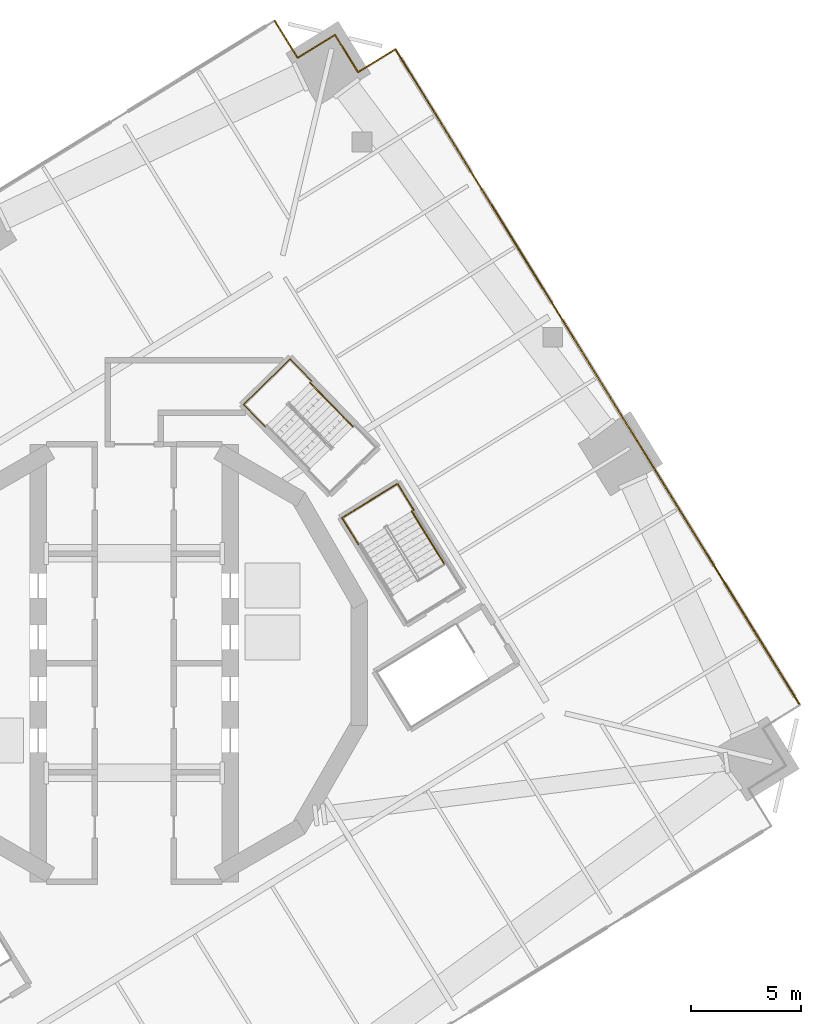
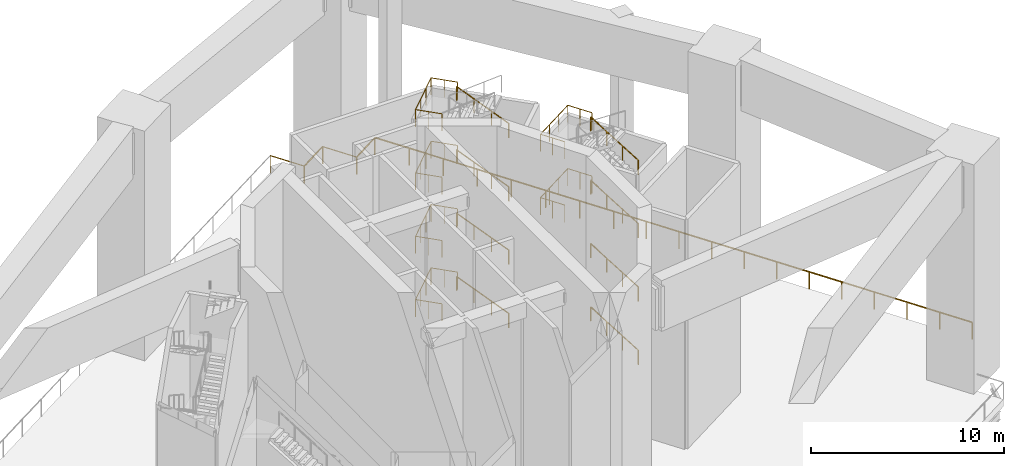
# One storey, part 14 of 15: 20 railings.
"""IFC4 building model written with IfcOpenShell, lengths in metres."""

from ifc_helpers import new_model, si_unit, direction, frame, origin, origin_2d, place, context, subcontext, project, spatial, circle, extrude, material, type_object, element, save


model = new_model("IFC4")

# Units and contexts
model_context = context("Model", 3, precision=1e-05, world=origin(), true_north=direction((0.0, 1.0)))
body_context = subcontext(model_context, "Body", "Model", "MODEL_VIEW")
ifc_project = project(units=[si_unit("LENGTHUNIT", "METRE"), si_unit("AREAUNIT", "SQUARE_METRE"), si_unit("VOLUMEUNIT", "CUBIC_METRE"), si_unit("PLANEANGLEUNIT", "RADIAN"), si_unit("MASSUNIT", "GRAM", prefix="KILO")], contexts=[model_context])

# Site, building, storey
site_placement = place(None, origin())
site = spatial("IfcSite", under=ifc_project, at=site_placement, CompositionType="ELEMENT")
building_placement = place(site_placement, origin())
building = spatial("IfcBuilding", under=site, at=building_placement, Name="Cantera Rosa Tower", CompositionType="ELEMENT")
storey_placement = place(building_placement, frame((0.0, 0.0, 189.39990234375)))
storey = spatial("IfcBuildingStorey", under=building, at=storey_placement, Name="L42", CompositionType="ELEMENT", Elevation=189.39990234375)

# Railings
ifc_material_1 = material(Name="Stainless steel and laminated glass", Category="steel")
railing_type_1 = type_object("IfcRailingType", Name="GUARD 1100", PredefinedType="BALUSTRADE", material=ifc_material_1)
railing_1_placement = place(storey_placement, frame((19.26513671875, 16.0068359375, 0.0)))
element("IfcRailing", 1, at=railing_1_placement, inside=storey, type_object=railing_type_1, Name="PORTAL GUARD L42-1", PredefinedType="BALUSTRADE", context=body_context, shape_type="SweptSolid", body=[
    extrude(circle(Radius=0.030029296875, at=origin_2d()), frame((0.0, 0.0, 1.070068359375), z_axis=(-0.524984864642, 0.851111562544, 0.0), x_axis=(-0.851111562544, -0.524984864642, 0.0)), (0.0, 0.0, 1.0), 14.0400390625),
    extrude(circle(Radius=0.02490234375, at=origin_2d()), origin(), (0.0, 0.0, 1.0), 1.0400390625),
    extrude(circle(Radius=0.02490234375, at=origin_2d()), frame((-1.052978515625, 1.70703125, 0.0)), (0.0, 0.0, 1.0), 1.0400390625),
    extrude(circle(Radius=0.02490234375, at=origin_2d()), frame((-2.10595703125, 3.414306640625, 0.0)), (0.0, 0.0, 1.0), 1.0400390625),
    extrude(circle(Radius=0.02490234375, at=origin_2d()), frame((-3.158935546875, 5.121337890625, 0.0)), (0.0, 0.0, 1.0), 1.0400390625),
    extrude(circle(Radius=0.02490234375, at=origin_2d()), frame((-4.2119140625, 6.828369140625, 0.0)), (0.0, 0.0, 1.0), 1.0400390625),
    extrude(circle(Radius=0.02490234375, at=origin_2d()), frame((-5.264892578125, 8.535400390625, 0.0)), (0.0, 0.0, 1.0), 1.0400390625),
    extrude(circle(Radius=0.02490234375, at=origin_2d()), frame((-6.31787109375, 10.24267578125, 0.0)), (0.0, 0.0, 1.0), 1.0400390625),
    extrude(circle(Radius=0.02490234375, at=origin_2d()), frame((-7.370849609375, 11.94970703125, 0.0)), (0.0, 0.0, 1.0), 1.0400390625),
])
railing_2_placement = place(storey_placement, frame((11.894287109375, 27.95654296875, 0.0)))
element("IfcRailing", 2, at=railing_2_placement, inside=storey, type_object=railing_type_1, Name="PORTAL GUARD L42-2", PredefinedType="BALUSTRADE", context=body_context, shape_type="SweptSolid", body=[
    extrude(circle(Radius=0.030029296875, at=origin_2d()), frame((0.0, 0.0, 1.070068359375), z_axis=(-0.85108359724, -0.525030199617, 0.0), x_axis=(0.525030199617, -0.85108359724, 0.0)), (0.0, 0.0, 1.0), 2.0),
    extrude(circle(Radius=0.02490234375, at=origin_2d()), origin(), (0.0, 0.0, 1.0), 1.0400390625),
    extrude(circle(Radius=0.02490234375, at=origin_2d()), frame((-1.7021484375, -1.050048828125, 0.0)), (0.0, 0.0, 1.0), 1.0400390625),
])
railing_3_placement = place(storey_placement, frame((10.192138671875, 26.906494140625, 0.0)))
element("IfcRailing", 3, at=railing_3_placement, inside=storey, type_object=railing_type_1, Name="PORTAL GUARD L42-3", PredefinedType="BALUSTRADE", context=body_context, shape_type="SweptSolid", body=[
    extrude(circle(Radius=0.030029296875, at=origin_2d()), frame((0.0, 0.0, 1.070068359375), z_axis=(-0.524975657145, 0.851117241868, 0.0), x_axis=(-0.851117241868, -0.524975657145, 0.0)), (0.0, 0.0, 1.0), 2.000244140625),
    extrude(circle(Radius=0.02490234375, at=origin_2d()), origin(), (0.0, 0.0, 1.0), 1.0400390625),
    extrude(circle(Radius=0.02490234375, at=origin_2d()), frame((-1.050048828125, 1.702392578125, 0.0)), (0.0, 0.0, 1.0), 1.0400390625),
])
railing_4_placement = place(storey_placement, frame((9.14208984375, 28.60888671875, 0.0)))
element("IfcRailing", 4, at=railing_4_placement, inside=storey, type_object=railing_type_1, Name="PORTAL GUARD L42-4", PredefinedType="BALUSTRADE", context=body_context, shape_type="SweptSolid", body=[
    extrude(circle(Radius=0.030029296875, at=origin_2d()), frame((0.0, 0.0, 1.070068359375), z_axis=(-0.85108359724, -0.525030199617, 0.0), x_axis=(0.525030199617, -0.85108359724, 0.0)), (0.0, 0.0, 1.0), 2.0),
    extrude(circle(Radius=0.02490234375, at=origin_2d()), origin(), (0.0, 0.0, 1.0), 1.0400390625),
    extrude(circle(Radius=0.02490234375, at=origin_2d()), frame((-1.7021484375, -1.050048828125, 0.0)), (0.0, 0.0, 1.0), 1.0400390625),
])
railing_5_placement = place(storey_placement, frame((7.43994140625, 27.558837890625, 0.0)))
element("IfcRailing", 5, at=railing_5_placement, inside=storey, type_object=railing_type_1, Name="PORTAL GUARD L42-5", PredefinedType="BALUSTRADE", context=body_context, shape_type="SweptSolid", body=[
    extrude(circle(Radius=0.030029296875, at=origin_2d()), frame((0.0, 0.0, 1.070068359375), z_axis=(-0.525030199617, 0.85108359724, 0.0), x_axis=(-0.85108359724, -0.525030199617, 0.0)), (0.0, 0.0, 1.0), 2.0),
    extrude(circle(Radius=0.02490234375, at=origin_2d()), origin(), (0.0, 0.0, 1.0), 1.0400390625),
    extrude(circle(Radius=0.02490234375, at=origin_2d()), frame((-1.050048828125, 1.7021484375, 0.0)), (0.0, 0.0, 1.0), 1.0400390625),
])
railing_6_placement = place(storey_placement, frame((30.321044921875, -1.917724609375, 0.0)))
element("IfcRailing", 6, at=railing_6_placement, inside=storey, type_object=railing_type_1, Name="PORTAL GUARD L42-24", PredefinedType="BALUSTRADE", context=body_context, shape_type="SweptSolid", body=[
    extrude(circle(Radius=0.030029296875, at=origin_2d()), frame((0.0, 0.0, 1.070068359375), z_axis=(-0.524972268191, 0.851119332192, 0.0), x_axis=(-0.851119332192, -0.524972268191, 0.0)), (0.0, 0.0, 1.0), 21.06005859375),
    extrude(circle(Radius=0.02490234375, at=origin_2d()), origin(), (0.0, 0.0, 1.0), 1.0400390625),
    extrude(circle(Radius=0.02490234375, at=origin_2d()), frame((-1.005126953125, 1.62939453125, 0.0)), (0.0, 0.0, 1.0), 1.0400390625),
    extrude(circle(Radius=0.02490234375, at=origin_2d()), frame((-2.01025390625, 3.259033203125, 0.0)), (0.0, 0.0, 1.0), 1.0400390625),
    extrude(circle(Radius=0.02490234375, at=origin_2d()), frame((-3.01513671875, 4.888427734375, 0.0)), (0.0, 0.0, 1.0), 1.0400390625),
    extrude(circle(Radius=0.02490234375, at=origin_2d()), frame((-4.020263671875, 6.51806640625, 0.0)), (0.0, 0.0, 1.0), 1.0400390625),
    extrude(circle(Radius=0.02490234375, at=origin_2d()), frame((-5.025390625, 8.1474609375, 0.0)), (0.0, 0.0, 1.0), 1.0400390625),
    extrude(circle(Radius=0.02490234375, at=origin_2d()), frame((-6.030517578125, 9.777099609375, 0.0)), (0.0, 0.0, 1.0), 1.0400390625),
    extrude(circle(Radius=0.02490234375, at=origin_2d()), frame((-7.03564453125, 11.406494140625, 0.0)), (0.0, 0.0, 1.0), 1.0400390625),
    extrude(circle(Radius=0.02490234375, at=origin_2d()), frame((-8.040771484375, 13.0361328125, 0.0)), (0.0, 0.0, 1.0), 1.0400390625),
    extrude(circle(Radius=0.02490234375, at=origin_2d()), frame((-9.045654296875, 14.66552734375, 0.0)), (0.0, 0.0, 1.0), 1.0400390625),
    extrude(circle(Radius=0.02490234375, at=origin_2d()), frame((-10.05078125, 16.295166015625, 0.0)), (0.0, 0.0, 1.0), 1.0400390625),
    extrude(circle(Radius=0.02490234375, at=origin_2d()), frame((-11.055908203125, 17.924560546875, 0.0)), (0.0, 0.0, 1.0), 1.0400390625),
])
ifc_material_2 = material(Name="Steel S355J2 (EN 10025-2)", Category="steel")
railing_type_2 = type_object("IfcRailingType", Name="STAIR GUARD 1100", PredefinedType="GUARDRAIL", material=ifc_material_2)
for number, where, name in (
    (7, (12.7353515625, 6.9609375, 10.0), "L42 ST-41 stair guard 14"),
    (8, (12.7353515625, 6.9609375, 14.0), "L42 ST-41 stair guard 16"),
):
    element("IfcRailing", number, at=place(storey_placement, frame(where)), inside=storey, type_object=railing_type_2, Name=name, PredefinedType="GUARDRAIL", context=body_context, shape_type="SweptSolid", body=[
        extrude(circle(Radius=0.02392578125, at=origin_2d()), frame((0.0, 0.0, 1.076171875), z_axis=(-0.525035889828, 0.851080086944, 0.0), x_axis=(-0.851080086944, -0.525035889828, 0.0)), (0.0, 0.0, 1.0), 1.421875),
        extrude(circle(Radius=0.02392578125, at=origin_2d()), frame((-0.74658203125, 1.210205078125, 1.076171875), z_axis=(-0.851132917336, -0.524950242429, 0.0), x_axis=(0.524950242429, -0.851132917336, 0.0)), (0.0, 0.0, 1.0), 2.969970703125),
        extrude(circle(Radius=0.02392578125, at=origin_2d()), frame((-3.2744140625, -0.348876953125, 1.076171875), z_axis=(0.525035889828, -0.851080086944, 0.0), x_axis=(0.851080086944, 0.525035889828, 0.0)), (0.0, 0.0, 1.0), 1.421875),
        extrude(circle(Radius=0.02099609375, at=origin_2d()), origin(), (0.0, 0.0, 1.0), 1.052001953125),
        extrude(circle(Radius=0.02099609375, at=origin_2d()), frame((-0.373291015625, 0.60498046875, 0.0)), (0.0, 0.0, 1.0), 1.052001953125),
        extrude(circle(Radius=0.02099609375, at=origin_2d()), frame((-0.74658203125, 1.210205078125, 0.0)), (0.0, 0.0, 1.0), 1.052001953125),
        extrude(circle(Radius=0.02099609375, at=origin_2d()), frame((-1.589111328125, 0.6904296875, 0.0)), (0.0, 0.0, 1.0), 1.052001953125),
        extrude(circle(Radius=0.02099609375, at=origin_2d()), frame((-2.431884765625, 0.1708984375, 0.0)), (0.0, 0.0, 1.0), 1.052001953125),
        extrude(circle(Radius=0.02099609375, at=origin_2d()), frame((-3.2744140625, -0.348876953125, 0.0)), (0.0, 0.0, 1.0), 1.052001953125),
        extrude(circle(Radius=0.02099609375, at=origin_2d()), frame((-2.901123046875, -0.9541015625, 0.0)), (0.0, 0.0, 1.0), 1.052001953125),
        extrude(circle(Radius=0.02099609375, at=origin_2d()), frame((-2.52783203125, -1.55908203125, 0.0)), (0.0, 0.0, 1.0), 1.052001953125),
    ])
for number, where, name in (
    (9, (8.09228515625, 12.83056640625, 2.0), "L42 ST-42 stair guard 10"),
    (10, (8.09228515625, 12.83056640625, 6.0), "L42 ST-42 stair guard 12"),
    (11, (8.09228515625, 12.83056640625, 10.0), "L42 ST-42 stair guard 14"),
    (12, (8.09228515625, 12.83056640625, 14.0), "L42 ST-42 stair guard 16"),
):
    element("IfcRailing", number, at=place(storey_placement, frame(where)), inside=storey, type_object=railing_type_2, Name=name, PredefinedType="GUARDRAIL", context=body_context, shape_type="SweptSolid", body=[
        extrude(circle(Radius=0.02392578125, at=origin_2d()), frame((0.0, 0.0, 1.076171875), z_axis=(-0.698905006915, 0.7152145072, 0.0), x_axis=(-0.7152145072, -0.698905006915, 0.0)), (0.0, 0.0, 1.0), 1.422119140625),
        extrude(circle(Radius=0.02392578125, at=origin_2d()), frame((-0.993896484375, 1.01708984375, 1.076171875), z_axis=(-0.715279654138, -0.698838333505, 0.0), x_axis=(0.698838333505, -0.715279654138, 0.0)), (0.0, 0.0, 1.0), 2.9697265625),
        extrude(circle(Radius=0.02392578125, at=origin_2d()), frame((-3.1181640625, -1.058349609375, 1.076171875), z_axis=(0.698817171867, -0.715300328746, 0.0), x_axis=(0.715300328746, 0.698817171867, 0.0)), (0.0, 0.0, 1.0), 1.421875),
        extrude(circle(Radius=0.02099609375, at=origin_2d()), origin(), (0.0, 0.0, 1.0), 1.052001953125),
        extrude(circle(Radius=0.02099609375, at=origin_2d()), frame((-0.4970703125, 0.508544921875, 0.0)), (0.0, 0.0, 1.0), 1.052001953125),
        extrude(circle(Radius=0.02099609375, at=origin_2d()), frame((-0.993896484375, 1.01708984375, 0.0)), (0.0, 0.0, 1.0), 1.052001953125),
        extrude(circle(Radius=0.02099609375, at=origin_2d()), frame((-1.701904296875, 0.3251953125, 0.0)), (0.0, 0.0, 1.0), 1.052001953125),
        extrude(circle(Radius=0.02099609375, at=origin_2d()), frame((-2.41015625, -0.366455078125, 0.0)), (0.0, 0.0, 1.0), 1.052001953125),
        extrude(circle(Radius=0.02099609375, at=origin_2d()), frame((-3.1181640625, -1.058349609375, 0.0)), (0.0, 0.0, 1.0), 1.052001953125),
        extrude(circle(Radius=0.02099609375, at=origin_2d()), frame((-2.621337890625, -1.56689453125, 0.0)), (0.0, 0.0, 1.0), 1.052001953125),
        extrude(circle(Radius=0.02099609375, at=origin_2d()), frame((-2.12451171875, -2.075439453125, 0.0)), (0.0, 0.0, 1.0), 1.052001953125),
    ])
ifc_material_3 = material(Name="Steel S355J2 (EN 10025-2)", Category="steel")
railing_type_3 = type_object("IfcRailingType", Name="STAIR HANDRAIL 900", PredefinedType="HANDRAIL", material=ifc_material_3)
for number, where, name in (
    (13, (14.105224609375, 4.5302734375, 0.181884765625), "L42 ST-41 stair handrail 1"),
    (14, (14.105224609375, 4.5302734375, 4.181884765625), "L42 ST-41 stair handrail 3"),
    (15, (14.105224609375, 4.5302734375, 8.181884765625), "L42 ST-41 stair handrail 5"),
    (16, (14.105224609375, 4.5302734375, 12.181884765625), "L42 ST-41 stair handrail 7"),
):
    element("IfcRailing", number, at=place(storey_placement, frame(where)), inside=storey, type_object=railing_type_3, Name=name, PredefinedType="HANDRAIL", context=body_context, shape_type="SweptSolid", body=[
        extrude(circle(Radius=0.02392578125, at=origin_2d()), frame((0.0, 0.0, 0.8759765625), z_axis=(-0.440313995068, 0.713819117399, 0.54459696417), x_axis=(-0.851103988667, -0.524997143301, 0.0)), (0.0, 0.0, 1.0), 3.33837890625),
        extrude(circle(Radius=0.02099609375, at=origin_2d()), origin(), (0.0, 0.0, 1.0), 0.851806640625),
        extrude(circle(Radius=0.02099609375, at=origin_2d()), frame((-0.489990234375, 0.79443359375, 0.60595703125)), (0.0, 0.0, 1.0), 0.851806640625),
        extrude(circle(Radius=0.02099609375, at=origin_2d()), frame((-0.97998046875, 1.588623046875, 1.212158203125)), (0.0, 0.0, 1.0), 0.851806640625),
        extrude(circle(Radius=0.02099609375, at=origin_2d()), frame((-1.469970703125, 2.383056640625, 1.818115234375)), (0.0, 0.0, 1.0), 0.851806640625),
    ])
for number, where, name in (
    (17, (9.9619140625, 10.759521484375, 0.181884765625), "L42 ST-42 stair handrail 1"),
    (18, (9.9619140625, 10.759521484375, 4.181884765625), "L42 ST-42 stair handrail 3"),
    (19, (9.9619140625, 10.759521484375, 8.181884765625), "L42 ST-42 stair handrail 5"),
    (20, (9.9619140625, 10.759521484375, 12.181884765625), "L42 ST-42 stair handrail 7"),
):
    element("IfcRailing", number, at=place(storey_placement, frame(where)), inside=storey, type_object=railing_type_3, Name=name, PredefinedType="HANDRAIL", context=body_context, shape_type="SweptSolid", body=[
        extrude(circle(Radius=0.02392578125, at=origin_2d()), frame((0.0, 0.0, 0.8759765625), z_axis=(-0.586134841119, 0.599883231653, 0.544597150569), x_axis=(-0.715255549244, -0.698863004655, 0.0)), (0.0, 0.0, 1.0), 3.33837890625),
        extrude(circle(Radius=0.02099609375, at=origin_2d()), origin(), (0.0, 0.0, 1.0), 0.851806640625),
        extrude(circle(Radius=0.02099609375, at=origin_2d()), frame((-0.65234375, 0.66748046875, 0.60595703125)), (0.0, 0.0, 1.0), 0.851806640625),
        extrude(circle(Radius=0.02099609375, at=origin_2d()), frame((-1.304443359375, 1.335205078125, 1.212158203125)), (0.0, 0.0, 1.0), 0.851806640625),
        extrude(circle(Radius=0.02099609375, at=origin_2d()), frame((-1.956787109375, 2.002685546875, 1.818115234375)), (0.0, 0.0, 1.0), 0.851806640625),
    ])

save(model, "model.ifc")
